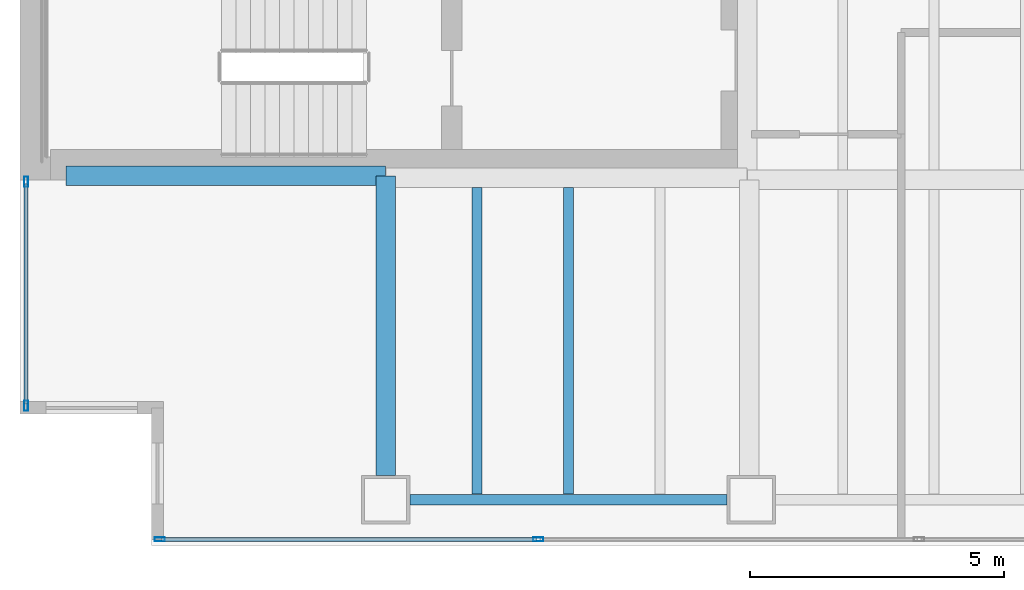
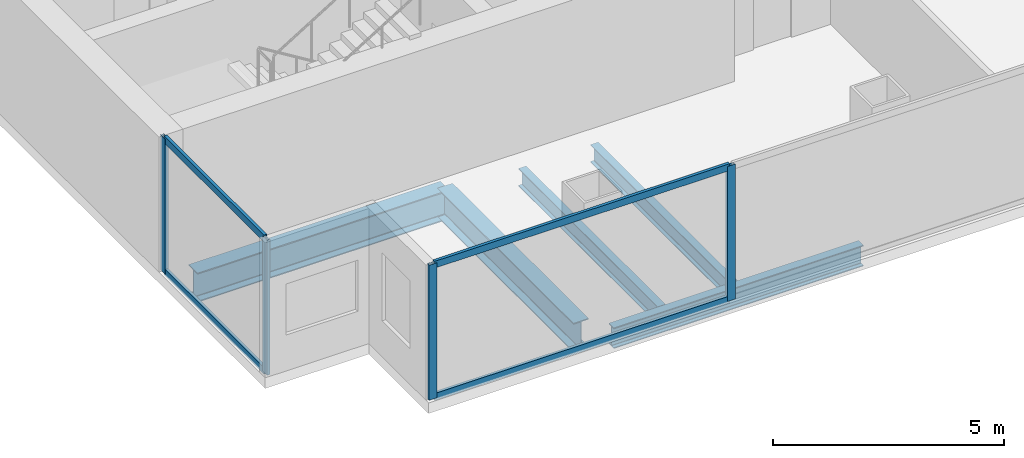
# One storey, part 2 of 23: 8 members, 5 beams, 2 elements without a shape of their own.
"""IFC4 building model written with IfcOpenShell, lengths in metres."""

import ifcopenshell
import ifcopenshell.guid

model = None  # the IFC model being written
_history = None  # IfcOwnerHistory: only IFC2X3 demands one
_inside = {}  # id of a spatial element -> (the spatial element, [elements in it])
_under = {}  # id of a project, library or spatial element -> (it, [spatial elements below it])
_declared = {}  # id of a project -> (the project, [libraries it declares])
_typed = {}  # id of a type object -> (the type object, [elements of that type])
_made_of = {}  # id of a material, layer set ... -> (it, [elements and type objects made of it])


def new_model(schema):
    """Start an empty IFC model of exactly this schema.

    Asked for "IFC4X3", IfcOpenShell would pick the latest addendum, in which some entities
    have other attributes; the version numbers below select the first issue.
    IFC2X3 requires an IfcOwnerHistory on every rooted entity: one is made here for all.
    """
    global model, _history
    if schema == "IFC4X3":
        model = ifcopenshell.file(schema_version=(4, 3, 0, 0))
    else:
        model = ifcopenshell.file(schema=schema)
    _inside.clear()
    _under.clear()
    _declared.clear()
    _typed.clear()
    _made_of.clear()
    _history = None
    if model.schema == "IFC2X3":
        org = make("IfcOrganization", Name="unknown")
        user = make(
            "IfcPersonAndOrganization",
            ThePerson=make("IfcPerson", FamilyName="unknown"),
            TheOrganization=org,
        )
        app = make(
            "IfcApplication",
            ApplicationDeveloper=org,
            Version="unknown",
            ApplicationFullName="unknown",
            ApplicationIdentifier="unknown",
        )
        _history = make(
            "IfcOwnerHistory",
            OwningUser=user,
            OwningApplication=app,
            ChangeAction="ADDED",
            CreationDate=0,
        )
    return model


def make(cls, **values):
    """One entity of the class cls with the attributes given. An attribute that is None is left unset."""
    return model.create_entity(
        cls, **{name: value for name, value in values.items() if value is not None}
    )


def rooted(cls, **values):
    """An entity with a GlobalId (a new one), such as an element, a storey or a relation."""
    return make(cls, GlobalId=ifcopenshell.guid.new(), OwnerHistory=_history, **values)


def si_unit(unit_type, name, prefix=None):
    """IfcSIUnit, for example si_unit("LENGTHUNIT", "METRE", prefix="MILLI")."""
    return make("IfcSIUnit", UnitType=unit_type, Prefix=prefix, Name=name)


def assignment(units):
    """IfcUnitAssignment: the units of a project."""
    return None if units is None else make("IfcUnitAssignment", Units=units)


def point(xyz):
    """IfcCartesianPoint."""
    return None if xyz is None else make("IfcCartesianPoint", Coordinates=xyz)


def direction(xyz):
    """IfcDirection."""
    return None if xyz is None else make("IfcDirection", DirectionRatios=xyz)


def frame(location, z_axis=None, x_axis=None):
    """IfcAxis2Placement3D, a coordinate frame: its origin and axes. An axis left out is left unset."""
    return make(
        "IfcAxis2Placement3D",
        Location=point(location),
        Axis=direction(z_axis),
        RefDirection=direction(x_axis),
    )


def frame_2d(location, x_axis=None):
    """IfcAxis2Placement2D, a coordinate frame in the plane: its origin and x axis."""
    return make(
        "IfcAxis2Placement2D", Location=point(location), RefDirection=direction(x_axis)
    )


def origin():
    """The frame at (0, 0, 0) with its axes left unset."""
    return frame((0.0, 0.0, 0.0))


def origin_2d():
    """The frame at (0, 0) in the plane with its x axis left unset."""
    return frame_2d((0.0, 0.0))


def place(relative_to, where):
    """IfcLocalPlacement: puts the frame where relative to a parent placement (None: the world)."""
    return make(
        "IfcLocalPlacement", PlacementRelTo=relative_to, RelativePlacement=where
    )


def context(
    kind, dimensions, precision=None, world=None, true_north=None, identifier=None
):
    """IfcGeometricRepresentationContext, for example the 3D "Model" context."""
    return make(
        "IfcGeometricRepresentationContext",
        ContextIdentifier=identifier,
        ContextType=kind,
        CoordinateSpaceDimension=dimensions,
        Precision=precision,
        WorldCoordinateSystem=world,
        TrueNorth=true_north,
    )


def subcontext(parent, identifier, kind, view, scale=None):
    """IfcGeometricRepresentationSubContext, for example "Body" below "Model"."""
    return make(
        "IfcGeometricRepresentationSubContext",
        ContextIdentifier=identifier,
        ContextType=kind,
        ParentContext=parent,
        TargetScale=scale,
        TargetView=view,
    )


def project(units=None, contexts=None):
    """IfcProject with its units and contexts."""
    return rooted(
        "IfcProject",
        Name="project",
        RepresentationContexts=contexts,
        UnitsInContext=assignment(units),
    )


def spatial(cls, under=None, at=None, **own):
    """A site, building, storey or space (cls), placed at a placement, below another one or the project."""
    s = rooted(cls, ObjectPlacement=at, **own)
    if under is not None:
        _under.setdefault(under.id(), (under, []))[1].append(s)
    return s


def profile(cls, at=None, kind="AREA", **sizes):
    """A parametric profile (cls). Its sizes go by their IFC names, for example OverallWidth=200.0."""
    return make(cls, ProfileType=kind, Position=at, **sizes)


def hollow_rectangle(**sizes):
    """IfcRectangleHollowProfileDef."""
    return profile("IfcRectangleHollowProfileDef", **sizes)


def i_section(**sizes):
    """IfcIShapeProfileDef."""
    return profile("IfcIShapeProfileDef", **sizes)


def extrude(swept, where, along, depth):
    """IfcExtrudedAreaSolid: the profile swept, set in the frame where, extruded along a direction by depth."""
    return make(
        "IfcExtrudedAreaSolid",
        SweptArea=swept,
        Position=where,
        ExtrudedDirection=direction(along),
        Depth=depth,
    )


def shape(context_of_items, identifier, shape_type, items):
    """IfcShapeRepresentation: the items that make up one representation, for example the "Body"."""
    return make(
        "IfcShapeRepresentation",
        ContextOfItems=context_of_items,
        RepresentationIdentifier=identifier,
        RepresentationType=shape_type,
        Items=items,
    )


def material(Name=None, Category=None):
    """IfcMaterial."""
    return make("IfcMaterial", Name=Name, Category=Category)


def material_profile(
    of_material, cross_section, Name=None, Category=None, Priority=None
):
    """IfcMaterialProfile: a cross section and its material."""
    return make(
        "IfcMaterialProfile",
        Name=Name,
        Material=of_material,
        Profile=cross_section,
        Priority=Priority,
        Category=Category,
    )


def profile_set(profiles, Name=None, composite=None):
    """IfcMaterialProfileSet."""
    return make(
        "IfcMaterialProfileSet",
        Name=Name,
        MaterialProfiles=profiles,
        CompositeProfile=composite,
    )


def made_of(thing, what):
    """Note that an element or type object is made of a material, layer set ...; save() writes the relation."""
    if what is not None:
        _made_of.setdefault(what.id(), (what, []))[1].append(thing)
    return thing


def type_object(cls, material=None, **own):
    """A type object (cls), such as IfcWallType, which elements share."""
    return made_of(rooted(cls, **own), material)


def element(
    cls,
    number,
    at=None,
    inside=None,
    cuts=None,
    type_object=None,
    material=None,
    context=None,
    identifier="Body",
    shape_type=None,
    held_by="IfcProductDefinitionShape",
    body=None,
    shapes=None,
    **own,
):
    """One element of the class cls, such as IfcWall. Its Tag is "e" and its number.

    at: its placement. inside: the storey or other place that contains it. cuts: it is an
    opening in that element (IfcRelVoidsElement). A single representation is given by context,
    identifier, shape_type and body (its items); several are given by shapes. held_by: the class
    of the entity that holds the representations. save() writes the other relations.
    """
    e = rooted(cls, Tag="e%d" % number, ObjectPlacement=at, **own)
    if body is not None:
        shapes = [shape(context, identifier, shape_type, body)]
    if shapes is not None:
        e.Representation = make(held_by, Representations=shapes)
    if inside is not None:
        _inside.setdefault(inside.id(), (inside, []))[1].append(e)
    if cuts is not None:
        rooted(
            "IfcRelVoidsElement", RelatingBuildingElement=cuts, RelatedOpeningElement=e
        )
    if type_object is not None:
        _typed.setdefault(type_object.id(), (type_object, []))[1].append(e)
    return made_of(e, material)


def aggregate(whole, parts):
    """IfcRelAggregates: a whole, such as a stair, and the parts it consists of."""
    return rooted("IfcRelAggregates", RelatingObject=whole, RelatedObjects=parts)


def save(model, path):
    """Write the relations noted so far, then the file.

    IfcRelAggregates (storeys below a building ...), IfcRelContainedInSpatialStructure (elements
    in a storey), IfcRelDefinesByType, IfcRelAssociatesMaterial and IfcRelDeclares: one each for
    every whole, place, type object, material and project.
    """
    for whole, parts in _under.values():
        aggregate(whole, parts)
    for where, things in _inside.values():
        rooted(
            "IfcRelContainedInSpatialStructure",
            RelatedElements=things,
            RelatingStructure=where,
        )
    for kind, things in _typed.values():
        rooted("IfcRelDefinesByType", RelatedObjects=things, RelatingType=kind)
    for what, things in _made_of.values():
        rooted("IfcRelAssociatesMaterial", RelatedObjects=things, RelatingMaterial=what)
    for by, libraries in _declared.values():
        rooted("IfcRelDeclares", RelatingContext=by, RelatedDefinitions=libraries)
    model.write(path)


model = new_model("IFC4")

# Units and contexts
model_context = context("Model", 3, precision=1e-05, world=origin(), true_north=direction((0.0, 1.0)))
body_context = subcontext(model_context, "Body", "Model", "MODEL_VIEW")
ifc_project = project(units=[si_unit("LENGTHUNIT", "METRE"), si_unit("AREAUNIT", "SQUARE_METRE"), si_unit("VOLUMEUNIT", "CUBIC_METRE"), si_unit("PLANEANGLEUNIT", "RADIAN"), si_unit("MASSUNIT", "GRAM", prefix="KILO")], contexts=[model_context])

# Site, building, storey
site_placement = place(None, origin())
site = spatial("IfcSite", under=ifc_project, at=site_placement, CompositionType="ELEMENT")
building_placement = place(site_placement, origin())
building = spatial("IfcBuilding", under=site, at=building_placement, Name="Cobrela Telecom Tower", CompositionType="ELEMENT")
storey_placement = place(building_placement, frame((0.0, 0.0, 88.89990234375)))
storey = spatial("IfcBuildingStorey", under=building, at=storey_placement, Name="L22", CompositionType="ELEMENT", Elevation=88.89990234375)

# Beams
ifc_material_1 = material(Name="Steel ASTM A992 Grade 50", Category="steel")
ifc_material_profile_1 = material_profile(ifc_material_1, i_section(OverallWidth=0.381103515625, OverallDepth=0.77197265625, WebThickness=0.0166015625, FlangeThickness=0.027099609375, FilletRadius=0.01904296875, at=origin_2d()), Name="W30X173")
ifc_profile_set_1 = profile_set([ifc_material_profile_1], Name="Steel ASTM A992 Grade 50")
beam_type_1 = type_object("IfcBeamType", Name="BM-GIRD-04", PredefinedType="USERDEFINED", material=ifc_profile_set_1)
beam_1_placement = place(storey_placement, frame((0.905029296875, 7.280029296875, -0.666015625), z_axis=(1.0, 0.0, 0.0), x_axis=(0.0, 1.0, 0.0)))
element("IfcBeam", 1, at=beam_1_placement, inside=storey, type_object=beam_type_1, Name="L22 Primary Girder X06", ObjectType="GIRDER", PredefinedType="USERDEFINED", context=body_context, shape_type="SweptSolid", body=[
    extrude(i_section(OverallWidth=0.381103515625, OverallDepth=0.77197265625, WebThickness=0.0166015625, FlangeThickness=0.027099609375, FilletRadius=0.01904296875, at=origin_2d()), origin(), (0.0, 0.0, 1.0), 6.2900390625),
])
beam_2_placement = place(storey_placement, frame((7.199951171875, 1.3798828125, -0.666015625), z_axis=(0.0, 1.0, 0.0), x_axis=(-1.0, 0.0, 0.0)))
element("IfcBeam", 2, at=beam_2_placement, inside=storey, type_object=beam_type_1, Name="L22 Primary Girder Y32", ObjectType="GIRDER", PredefinedType="USERDEFINED", context=body_context, shape_type="SweptSolid", body=[
    extrude(i_section(OverallWidth=0.381103515625, OverallDepth=0.77197265625, WebThickness=0.0166015625, FlangeThickness=0.027099609375, FilletRadius=0.01904296875, at=origin_2d()), origin(), (0.0, 0.0, 1.0), 5.89501953125),
])
ifc_material_profile_2 = material_profile(ifc_material_1, i_section(OverallWidth=0.193115234375, OverallDepth=0.467041015625, WebThickness=0.011474609375, FlangeThickness=0.01904296875, FilletRadius=0.012939453125, at=origin_2d()), Name="W18X65")
ifc_profile_set_2 = profile_set([ifc_material_profile_2], Name="Steel ASTM A992 Grade 50")
beam_type_2 = type_object("IfcBeamType", Name="BM-JOIST-03", PredefinedType="JOIST", material=ifc_profile_set_2)
for number, where, z_axis, x_axis, name in (
    (3, (9.0, 1.011474609375, -0.513427734375), (0.0, 1.0, 0.0), (-1.0, 0.0, 0.0), "L22 Secondary Composite Floor Beam J01"),
    (4, (10.800048828125, 1.011474609375, -0.513427734375), (0.0, 1.0, 0.0), (-1.0, 0.0, 0.0), "L22 Secondary Composite Floor Beam J03"),
):
    element("IfcBeam", number, at=place(storey_placement, frame(where, z_axis=z_axis, x_axis=x_axis)), inside=storey, type_object=beam_type_2, Name=name, PredefinedType="JOIST", context=body_context, shape_type="SweptSolid", body=[
        extrude(i_section(OverallWidth=0.193115234375, OverallDepth=0.467041015625, WebThickness=0.011474609375, FlangeThickness=0.01904296875, FilletRadius=0.012939453125, at=origin_2d()), origin(), (0.0, 0.0, 1.0), 6.032958984375),
    ])
ifc_material_profile_3 = material_profile(ifc_material_1, i_section(OverallWidth=0.212890625, OverallDepth=0.549072265625, WebThickness=0.0146484375, FlangeThickness=0.023681640625, FilletRadius=0.013916015625, at=origin_2d()), Name="W21X93")
ifc_profile_set_3 = profile_set([ifc_material_profile_3], Name="Steel ASTM A992 Grade 50")
beam_type_3 = type_object("IfcBeamType", Name="BM-SPAND-03", PredefinedType="SPANDREL", material=ifc_profile_set_3)
beam_3_placement = place(storey_placement, frame((7.679931640625, 0.89990234375, -0.554443359375), z_axis=(1.0, 0.0, 0.0), x_axis=(0.0, 1.0, 0.0)))
element("IfcBeam", 5, at=beam_3_placement, inside=storey, type_object=beam_type_3, Name="L22 Perimeter Spandrel X01", PredefinedType="SPANDREL", context=body_context, shape_type="SweptSolid", body=[
    extrude(i_section(OverallWidth=0.212890625, OverallDepth=0.549072265625, WebThickness=0.0146484375, FlangeThickness=0.023681640625, FilletRadius=0.013916015625, at=origin_2d()), origin(), (0.0, 0.0, 1.0), 6.239990234375),
])

# Curtain wall, members
ifc_material_2 = material(Name="Anodized Bronze Aluminium 6063-T6", Category="aluminium")
curtain_wall_type = type_object("IfcCurtainWallType", Name="CW-SYS-DATA", PredefinedType="USERDEFINED", material=ifc_material_2)
curtain_wall_1_placement = place(storey_placement, origin())
curtain_wall_1 = element("IfcCurtainWall", 6, at=curtain_wall_1_placement, inside=storey, type_object=curtain_wall_type, Name="L22 Unitised Bronze Curtain Wall 03", ObjectType="UNITISED CURTAIN WALL", PredefinedType="USERDEFINED")
ifc_material_profile_4 = material_profile(ifc_material_2, hollow_rectangle(XDim=0.080078125, YDim=0.199951171875, WallThickness=0.00390625, at=origin_2d()), Name="ALU 80x200x4")
ifc_profile_set_4 = profile_set([ifc_material_profile_4], Name="Anodized Bronze Aluminium 6063-T6")
member_type_1 = type_object("IfcMemberType", Name="CW-SYS-DATA-MUL", PredefinedType="MULLION", material=ifc_profile_set_4)
member_1_placement = place(storey_placement, frame((0.1201171875, 2.75, 0.0), z_axis=(0.0, 0.0, 1.0), x_axis=(-1.0, 0.0, 0.0)))
member_1 = element("IfcMember", 7, at=member_1_placement, type_object=member_type_1, Name="CW-DATA mullion 1", PredefinedType="MULLION", context=body_context, shape_type="SweptSolid", body=[
    extrude(hollow_rectangle(XDim=0.080078125, YDim=0.199951171875, WallThickness=0.00390625, at=origin_2d()), origin(), (0.0, 0.0, 1.0), 3.570068359375),
])
member_2_placement = place(storey_placement, frame((0.1201171875, 7.159912109375, 0.0), z_axis=(0.0, 0.0, 1.0), x_axis=(-1.0, 0.0, 0.0)))
member_2 = element("IfcMember", 8, at=member_2_placement, type_object=member_type_1, Name="CW-DATA mullion 2", PredefinedType="MULLION", context=body_context, shape_type="SweptSolid", body=[
    extrude(hollow_rectangle(XDim=0.080078125, YDim=0.199951171875, WallThickness=0.00390625, at=origin_2d()), origin(), (0.0, 0.0, 1.0), 3.570068359375),
])

curtain_wall_2_placement = place(storey_placement, origin())
curtain_wall_2 = element("IfcCurtainWall", 9, at=curtain_wall_2_placement, inside=storey, type_object=curtain_wall_type, Name="L22 Unitised Bronze Curtain Wall 17", ObjectType="UNITISED CURTAIN WALL", PredefinedType="USERDEFINED")
member_3_placement = place(storey_placement, frame((10.206787109375, 0.1201171875, 0.0), z_axis=(0.0, 0.0, 1.0), x_axis=(0.0, -1.0, 0.0)))
member_3 = element("IfcMember", 10, at=member_3_placement, type_object=member_type_1, Name="CW-DATA mullion 6", PredefinedType="MULLION", context=body_context, shape_type="SweptSolid", body=[
    extrude(hollow_rectangle(XDim=0.080078125, YDim=0.199951171875, WallThickness=0.00390625, at=origin_2d()), origin(), (0.0, 0.0, 1.0), 3.570068359375),
])
member_4_placement = place(storey_placement, frame((2.75, 0.1201171875, 0.0), z_axis=(0.0, 0.0, 1.0), x_axis=(0.0, -1.0, 0.0)))
member_4 = element("IfcMember", 11, at=member_4_placement, type_object=member_type_1, Name="CW-DATA mullion 7", PredefinedType="MULLION", context=body_context, shape_type="SweptSolid", body=[
    extrude(hollow_rectangle(XDim=0.080078125, YDim=0.199951171875, WallThickness=0.00390625, at=origin_2d()), origin(), (0.0, 0.0, 1.0), 3.570068359375),
])

# Member
ifc_material_profile_5 = material_profile(ifc_material_2, hollow_rectangle(XDim=0.074951171875, YDim=0.179931640625, WallThickness=0.00390625, at=origin_2d()), Name="ALU 75x180x4")
ifc_profile_set_5 = profile_set([ifc_material_profile_5], Name="Anodized Bronze Aluminium 6063-T6")
member_type_2 = type_object("IfcMemberType", Name="CW-SYS-DATA-TRN", PredefinedType="USERDEFINED", material=ifc_profile_set_5)
member_5_placement = place(storey_placement, frame((0.1201171875, 2.7900390625, 0.03759765625), z_axis=(0.0, 1.0, 0.0), x_axis=(-1.0, 0.0, 0.0)))
member_5 = element("IfcMember", 12, at=member_5_placement, type_object=member_type_2, Name="CW-DATA transom 1.1", ObjectType="TRANSOM", PredefinedType="USERDEFINED", context=body_context, shape_type="SweptSolid", body=[
    extrude(hollow_rectangle(XDim=0.074951171875, YDim=0.179931640625, WallThickness=0.00390625, at=origin_2d()), origin(), (0.0, 0.0, 1.0), 4.330078125),
])

member_6_placement = place(storey_placement, frame((0.1201171875, 2.7900390625, 3.53271484375), z_axis=(0.0, 1.0, 0.0), x_axis=(-1.0, 0.0, 0.0)))
member_6 = element("IfcMember", 13, at=member_6_placement, type_object=member_type_2, Name="CW-DATA transom 1.2", ObjectType="TRANSOM", PredefinedType="USERDEFINED", context=body_context, shape_type="SweptSolid", body=[
    extrude(hollow_rectangle(XDim=0.074951171875, YDim=0.179931640625, WallThickness=0.00390625, at=origin_2d()), origin(), (0.0, 0.0, 1.0), 4.330078125),
])

aggregate(curtain_wall_1, [member_1, member_2, member_5, member_6])

member_7_placement = place(storey_placement, frame((10.166748046875, 0.1201171875, 0.03759765625), z_axis=(-1.0, 0.0, 0.0), x_axis=(0.0, -1.0, 0.0)))
member_7 = element("IfcMember", 14, at=member_7_placement, type_object=member_type_2, Name="CW-DATA transom 6.1", ObjectType="TRANSOM", PredefinedType="USERDEFINED", context=body_context, shape_type="SweptSolid", body=[
    extrude(hollow_rectangle(XDim=0.074951171875, YDim=0.179931640625, WallThickness=0.00390625, at=origin_2d()), origin(), (0.0, 0.0, 1.0), 7.376708984375),
])

member_8_placement = place(storey_placement, frame((10.166748046875, 0.1201171875, 3.53271484375), z_axis=(-1.0, 0.0, 0.0), x_axis=(0.0, -1.0, 0.0)))
member_8 = element("IfcMember", 15, at=member_8_placement, type_object=member_type_2, Name="CW-DATA transom 6.2", ObjectType="TRANSOM", PredefinedType="USERDEFINED", context=body_context, shape_type="SweptSolid", body=[
    extrude(hollow_rectangle(XDim=0.074951171875, YDim=0.179931640625, WallThickness=0.00390625, at=origin_2d()), origin(), (0.0, 0.0, 1.0), 7.376708984375),
])

aggregate(curtain_wall_2, [member_3, member_4, member_7, member_8])

save(model, "model.ifc")
